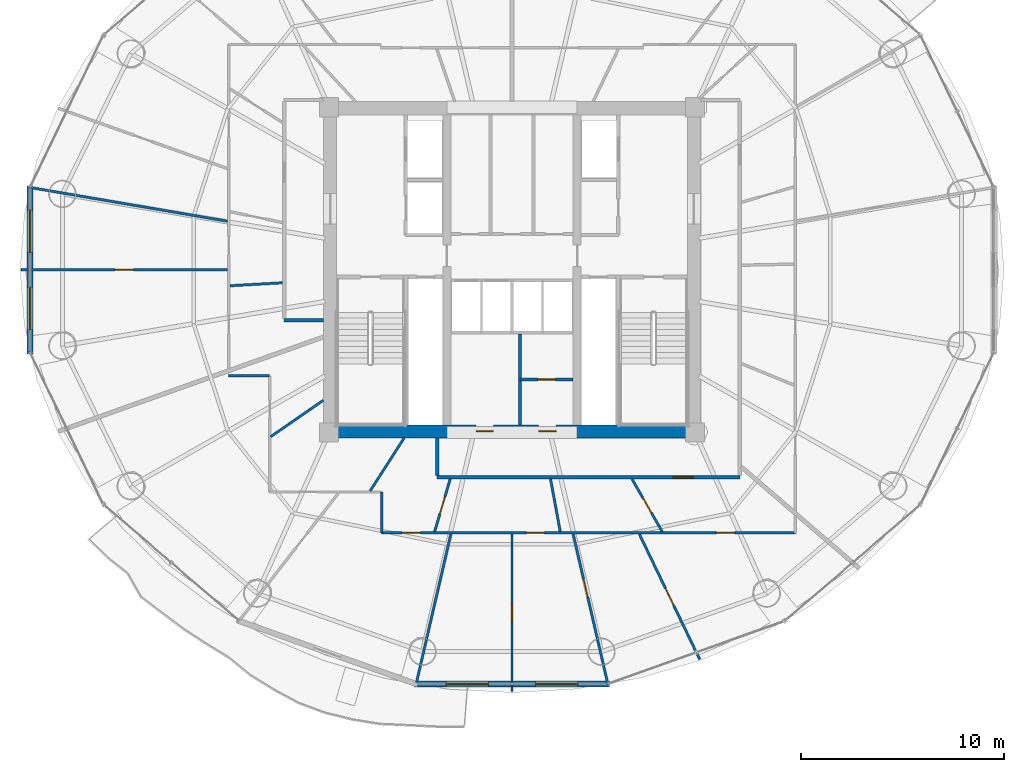
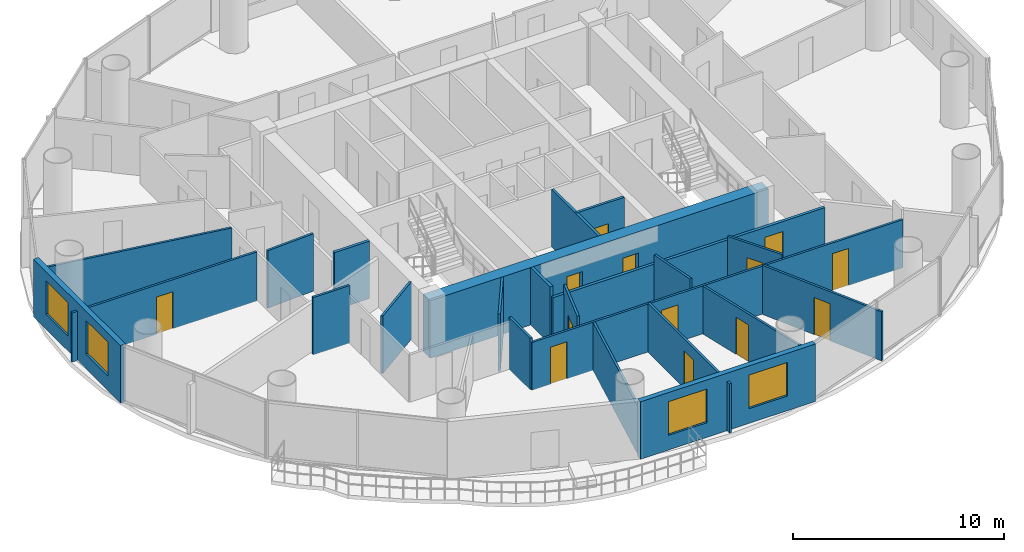
# One storey, part 21 of 27: 23 walls, 13 doors, 4 windows, 17 openings.
"""IFC4 building model written with IfcOpenShell, lengths in metres."""

from ifc_helpers import new_model, si_unit, direction, frame, frame_2d, origin, place, context, subcontext, project, spatial, rectangle, extrude, source, transform, mapped, material, layer, layer_set, type_object, element, fill, save


model = new_model("IFC4")

# Units and contexts
model_context = context("Model", 3, precision=1e-05, world=origin(), true_north=direction((-0.2419218956, 0.970295726276)))
body_context = subcontext(model_context, "Body", "Model", "MODEL_VIEW")
ifc_project = project(units=[si_unit("LENGTHUNIT", "METRE"), si_unit("AREAUNIT", "SQUARE_METRE"), si_unit("VOLUMEUNIT", "CUBIC_METRE"), si_unit("PLANEANGLEUNIT", "RADIAN"), si_unit("MASSUNIT", "GRAM", prefix="KILO")], contexts=[model_context])

# Site, building, storey
site_placement = place(None, origin())
site = spatial("IfcSite", under=ifc_project, at=site_placement, CompositionType="ELEMENT")
building_placement = place(site_placement, origin())
building = spatial("IfcBuilding", under=site, at=building_placement, Name="Cobrevalo Terracotta Tower", CompositionType="ELEMENT")
storey_placement = place(building_placement, frame((0.0, 0.0, 146.199951171875)))
storey = spatial("IfcBuildingStorey", under=building, at=storey_placement, Name="L38", CompositionType="ELEMENT", Elevation=146.199951171875)

# Wall, openings, doors
ifc_material_1 = material(Name="Concrete C55", Category="concrete")
ifc_layer_1 = layer(ifc_material_1, 0.64990234375)
ifc_layer_set_1 = layer_set([ifc_layer_1], Name="Concrete C55")
wall_type_1 = type_object("IfcWallType", Name="Core shear wall 650 mm Concrete C55", PredefinedType="SHEAR", material=ifc_layer_set_1)
wall_1_placement = place(storey_placement, frame((28.72509765625, 18.85009765625, 0.0), z_axis=(0.0, 0.0, 1.0), x_axis=(1.0, 0.0, 0.0)))
wall_1 = element("IfcWall", 1, at=wall_1_placement, inside=storey, type_object=wall_type_1, Name="L38 south core shear wall", PredefinedType="SHEAR", context=body_context, shape_type="SweptSolid", body=[
    extrude(rectangle(XDim=18.5498046875, YDim=0.64990234375, at=frame_2d((9.27490234375, 0.0))), origin(), (0.0, 0.0, 1.0), 3.330078125),
])
opening_1_placement = place(wall_1_placement, frame((7.510009765625, 0.0, 0.0)))
opening_1 = element("IfcOpeningElement", 2, at=opening_1_placement, cuts=wall_1, Name="Opening ID-22", PredefinedType="OPENING", context=body_context, shape_type="SweptSolid", body=[
    extrude(rectangle(XDim=0.85009765625, YDim=2.10009765625, at=frame_2d((0.425048828125, 1.050048828125))), frame((0.0, 0.3349609375, 0.0), z_axis=(0.0, -1.0, 0.0), x_axis=(1.0, 0.0, 0.0)), (0.0, 0.0, 1.0), 0.669921875),
])
opening_2_placement = place(wall_1_placement, frame((10.590087890625, 0.0, 0.0)))
opening_2 = element("IfcOpeningElement", 3, at=opening_2_placement, cuts=wall_1, Name="Opening ID-22", PredefinedType="OPENING", context=body_context, shape_type="SweptSolid", body=[
    extrude(rectangle(XDim=0.85009765625, YDim=2.10009765625, at=frame_2d((0.425048828125, 1.050048828125))), frame((0.0, 0.3349609375, 0.0), z_axis=(0.0, -1.0, 0.0), x_axis=(1.0, 0.0, 0.0)), (0.0, 0.0, 1.0), 0.669921875),
])
ifc_material_2 = material(Name="Powder-coated steel", Category="steel")
door_type_1 = type_object("IfcDoorType", Name="Riser shaft & meter closet fire access door 850x2100 EI 60", OperationType="NOTDEFINED", PredefinedType="DOOR", material=ifc_material_2)
shared_shape_1 = source(origin(), body_context, "Body", "SweptSolid", [
    extrude(rectangle(XDim=0.85009765625, YDim=2.10009765625, at=frame_2d((0.425048828125, 1.050048828125))), frame((0.0, 0.02490234375, 0.0), z_axis=(0.0, -1.0, 0.0), x_axis=(1.0, 0.0, 0.0)), (0.0, 0.0, 1.0), 0.050048828125),
])
door_1_placement = place(opening_1_placement, origin())
door_1 = element("IfcDoor", 4, at=door_1_placement, inside=storey, type_object=door_type_1, Name="L38 core south plant door Floor AHU Mechanical Plant", OperationType="SINGLE_SWING_RIGHT", OverallHeight=2.10009765625, OverallWidth=0.85009765625, PredefinedType="DOOR", context=body_context, shape_type="MappedRepresentation", body=[
    mapped(shared_shape_1, transform((0.0, 0.0, 0.0), scale=1.0)),
])
fill(opening_1, door_1)
door_2_placement = place(opening_2_placement, origin())
door_2 = element("IfcDoor", 5, at=door_2_placement, inside=storey, type_object=door_type_1, Name="L38 core south plant door Sprinkler Valve Plant", OperationType="SINGLE_SWING_RIGHT", OverallHeight=2.10009765625, OverallWidth=0.85009765625, PredefinedType="DOOR", context=body_context, shape_type="MappedRepresentation", body=[
    mapped(shared_shape_1, transform((0.0, 0.0, 0.0), scale=1.0)),
])
fill(opening_2, door_2)

# Wall
ifc_material_3 = material(Name="Gypsum board on steel stud", Category="steel")
ifc_layer_2 = layer(ifc_material_3, 0.159912109375)
ifc_layer_set_2 = layer_set([ifc_layer_2], Name="Gypsum board on steel stud")
wall_type_2 = type_object("IfcWallType", Name="Fire-rated corridor acoustic partition wall 160 mm", PredefinedType="PARTITIONING", material=ifc_layer_set_2)
wall_2_placement = place(storey_placement, frame((26.794921875, 24.320068359375, 0.0), z_axis=(0.0, 0.0, 1.0), x_axis=(1.0, 0.0, 0.0)))
element("IfcWall", 6, at=wall_2_placement, inside=storey, type_object=wall_type_2, Name="L38 interior partition IW-L38-COR-WS-CAP", PredefinedType="PARTITIONING", context=body_context, shape_type="SweptSolid", body=[
    extrude(rectangle(XDim=1.93017578125, YDim=0.159912109375, at=frame_2d((0.965087890625, 0.0))), origin(), (0.0, 0.0, 1.0), 3.330078125),
])

# Wall, opening, door
wall_3_placement = place(storey_placement, frame((34.320068359375, 16.594970703125, 0.0), z_axis=(0.0, 0.0, 1.0), x_axis=(1.0, 0.0, 0.0)))
wall_3 = element("IfcWall", 7, at=wall_3_placement, inside=storey, type_object=wall_type_2, Name="L38 interior partition IW-L38-COR-S", PredefinedType="PARTITIONING", context=body_context, shape_type="SweptSolid", body=[
    extrude(rectangle(XDim=14.885009765625, YDim=0.159912109375, at=frame_2d((7.4423828125, 0.0))), origin(), (0.0, 0.0, 1.0), 2.776123046875),
])
opening_3_placement = place(wall_3_placement, frame((11.60888671875, 0.0, 0.0)))
opening_3 = element("IfcOpeningElement", 8, at=opening_3_placement, cuts=wall_3, Name="Opening ID-05", PredefinedType="OPENING", context=body_context, shape_type="SweptSolid", body=[
    extrude(rectangle(XDim=0.97998046875, YDim=2.199951171875, at=frame_2d((0.489990234375, 1.10009765625))), frame((0.0, 0.08984375, 0.0), z_axis=(0.0, -1.0, 0.0), x_axis=(1.0, 0.0, 0.0)), (0.0, 0.0, 1.0), 0.179931640625),
])
ifc_material_4 = material(Name="Solid hardwood timber", Category="wood")
door_type_2 = type_object("IfcDoorType", Name="Residence entrance fire-rated acoustic timber door 980x2200 EI 60", OperationType="NOTDEFINED", PredefinedType="DOOR", material=ifc_material_4)
shared_shape_2 = source(origin(), body_context, "Body", "SweptSolid", [
    extrude(rectangle(XDim=0.97998046875, YDim=2.199951171875, at=frame_2d((0.489990234375, 1.10009765625))), frame((0.0, 0.02490234375, 0.0), z_axis=(0.0, -1.0, 0.0), x_axis=(1.0, 0.0, 0.0)), (0.0, 0.0, 1.0), 0.050048828125),
])
door_3_placement = place(opening_3_placement, frame((0.97998046875, 0.0, 0.0), z_axis=(0.0, 0.0, 1.0), x_axis=(-1.0, 0.0, 0.0)))
door_3 = element("IfcDoor", 9, at=door_3_placement, inside=storey, type_object=door_type_2, Name="Flat L38B fire-rated apartment entrance door", OperationType="SINGLE_SWING_LEFT", OverallHeight=2.199951171875, OverallWidth=0.97998046875, PredefinedType="DOOR", context=body_context, shape_type="MappedRepresentation", body=[
    mapped(shared_shape_2, transform((0.0, 0.0, 0.0), scale=1.0)),
])
fill(opening_3, door_3)

# Wall
wall_4_placement = place(storey_placement, frame((34.320068359375, 16.675048828125, 0.0), z_axis=(0.0, 0.0, 1.0), x_axis=(0.0, 1.0, 0.0)))
element("IfcWall", 10, at=wall_4_placement, inside=storey, type_object=wall_type_2, Name="L38 interior partition IW-L38-COR-SW-CAP", PredefinedType="PARTITIONING", context=body_context, shape_type="SweptSolid", body=[
    extrude(rectangle(XDim=1.849853515625, YDim=0.159912109375, at=frame_2d((0.9248046875, 0.0))), origin(), (0.0, 0.0, 1.0), 3.330078125),
])

# Wall, openings, windows
ifc_material_5 = material(Name="Autoclaved aerated concrete block", Category="concrete")
ifc_layer_3 = layer(ifc_material_5, 0.280029296875)
ifc_layer_set_3 = layer_set([ifc_layer_3], Name="Autoclaved aerated concrete block")
wall_type_3 = type_object("IfcWallType", Name="Insulated tower spandrel & pier wall 280 mm with terracotta rainscreen", PredefinedType="SOLIDWALL", material=ifc_layer_set_3)
wall_5_placement = place(storey_placement, frame((14.29443359375, 30.93212890625, 0.0), z_axis=(0.0, 0.0, 1.0), x_axis=(0.0, -1.0, 0.0)))
wall_5 = element("IfcWall", 11, at=wall_5_placement, inside=storey, type_object=wall_type_3, Name="L38 terracotta rainscreen pier wall S08", PredefinedType="SOLIDWALL", context=body_context, shape_type="SweptSolid", body=[
    extrude(rectangle(XDim=8.26416015625, YDim=0.280029296875, at=frame_2d((4.132080078125, 0.0))), origin(), (0.0, 0.0, 1.0), 3.330078125),
])
opening_4_placement = place(wall_5_placement, frame((1.181396484375, 0.0, 0.85009765625)))
opening_4 = element("IfcOpeningElement", 12, at=opening_4_placement, cuts=wall_5, Name="Opening WN-10", PredefinedType="OPENING", context=body_context, shape_type="SweptSolid", body=[
    extrude(rectangle(XDim=2.10009765625, YDim=1.949951171875, at=frame_2d((1.050048828125, 0.97509765625))), frame((0.0, 0.14990234375, 0.0), z_axis=(0.0, -1.0, 0.0), x_axis=(1.0, 0.0, 0.0)), (0.0, 0.0, 1.0), 0.300048828125),
])
opening_5_placement = place(wall_5_placement, frame((4.98291015625, 0.0, 0.85009765625)))
opening_5 = element("IfcOpeningElement", 13, at=opening_5_placement, cuts=wall_5, Name="Opening WN-10", PredefinedType="OPENING", context=body_context, shape_type="SweptSolid", body=[
    extrude(rectangle(XDim=2.10009765625, YDim=1.949951171875, at=frame_2d((1.050048828125, 0.97509765625))), frame((0.0, 0.14990234375, 0.0), z_axis=(0.0, -1.0, 0.0), x_axis=(1.0, 0.0, 0.0)), (0.0, 0.0, 1.0), 0.300048828125),
])
ifc_material_6 = material(Name="Solar-control low-E double glazing", Category="glass")
window_type = type_object("IfcWindowType", Name="Wide panoramic low-E aluminium window 2100x1950", PartitioningType="SINGLE_PANEL", PredefinedType="WINDOW", material=ifc_material_6)
shared_shape_3 = source(origin(), body_context, "Body", "SweptSolid", [
    extrude(rectangle(XDim=2.10009765625, YDim=1.949951171875, at=frame_2d((1.050048828125, 0.97509765625))), frame((0.0, 0.030029296875, 0.0), z_axis=(0.0, -1.0, 0.0), x_axis=(1.0, 0.0, 0.0)), (0.0, 0.0, 1.0), 0.06005859375),
])
window_1_placement = place(opening_4_placement, origin())
window_1 = element("IfcWindow", 14, at=window_1_placement, inside=storey, type_object=window_type, Name="L38 suite window S08A", OverallHeight=1.949951171875, OverallWidth=2.10009765625, PartitioningType="SINGLE_PANEL", PredefinedType="WINDOW", context=body_context, shape_type="MappedRepresentation", body=[
    mapped(shared_shape_3, transform((0.0, 0.0, 0.0), scale=1.0)),
])
fill(opening_4, window_1)
window_2_placement = place(opening_5_placement, origin())
window_2 = element("IfcWindow", 15, at=window_2_placement, inside=storey, type_object=window_type, Name="L38 suite window S08B", OverallHeight=1.949951171875, OverallWidth=2.10009765625, PartitioningType="SINGLE_PANEL", PredefinedType="WINDOW", context=body_context, shape_type="MappedRepresentation", body=[
    mapped(shared_shape_3, transform((0.0, 0.0, 0.0), scale=1.0)),
])
fill(opening_5, window_2)

wall_6_placement = place(storey_placement, frame((33.20458984375, 6.42919921875, 0.0), z_axis=(0.0, 0.0, 1.0), x_axis=(1.0, 0.0, 0.0)))
wall_6 = element("IfcWall", 16, at=wall_6_placement, inside=storey, type_object=wall_type_3, Name="L38 terracotta rainscreen pier wall S12", PredefinedType="SOLIDWALL", context=body_context, shape_type="SweptSolid", body=[
    extrude(rectangle(XDim=9.5908203125, YDim=0.280029296875, at=frame_2d((4.79541015625, 0.0))), origin(), (0.0, 0.0, 1.0), 3.330078125),
])
opening_6_placement = place(wall_6_placement, frame((1.53955078125, 0.0, 0.85009765625)))
opening_6 = element("IfcOpeningElement", 17, at=opening_6_placement, cuts=wall_6, Name="Opening WN-10", PredefinedType="OPENING", context=body_context, shape_type="SweptSolid", body=[
    extrude(rectangle(XDim=2.10009765625, YDim=1.949951171875, at=frame_2d((1.050048828125, 0.97509765625))), frame((0.0, 0.14990234375, 0.0), z_axis=(0.0, -1.0, 0.0), x_axis=(1.0, 0.0, 0.0)), (0.0, 0.0, 1.0), 0.300048828125),
])
opening_7_placement = place(wall_6_placement, frame((5.951171875, 0.0, 0.85009765625)))
opening_7 = element("IfcOpeningElement", 18, at=opening_7_placement, cuts=wall_6, Name="Opening WN-10", PredefinedType="OPENING", context=body_context, shape_type="SweptSolid", body=[
    extrude(rectangle(XDim=2.10009765625, YDim=1.949951171875, at=frame_2d((1.050048828125, 0.97509765625))), frame((0.0, 0.14990234375, 0.0), z_axis=(0.0, -1.0, 0.0), x_axis=(1.0, 0.0, 0.0)), (0.0, 0.0, 1.0), 0.300048828125),
])
window_3_placement = place(opening_6_placement, origin())
window_3 = element("IfcWindow", 19, at=window_3_placement, inside=storey, type_object=window_type, Name="L38 suite window S12A", OverallHeight=1.949951171875, OverallWidth=2.10009765625, PartitioningType="SINGLE_PANEL", PredefinedType="WINDOW", context=body_context, shape_type="MappedRepresentation", body=[
    mapped(shared_shape_3, transform((0.0, 0.0, 0.0), scale=1.0)),
])
fill(opening_6, window_3)
window_4_placement = place(opening_7_placement, origin())
window_4 = element("IfcWindow", 20, at=window_4_placement, inside=storey, type_object=window_type, Name="L38 suite window S12B", OverallHeight=1.949951171875, OverallWidth=2.10009765625, PartitioningType="SINGLE_PANEL", PredefinedType="WINDOW", context=body_context, shape_type="MappedRepresentation", body=[
    mapped(shared_shape_3, transform((0.0, 0.0, 0.0), scale=1.0)),
])
fill(opening_7, window_4)

# Wall
ifc_layer_4 = layer(ifc_material_5, 0.139892578125)
ifc_layer_set_4 = layer_set([ifc_layer_4], Name="Autoclaved aerated concrete block")
wall_type_4 = type_object("IfcWallType", Name="Moisture-resistant wet-room & core service partition 140 mm", PredefinedType="PARTITIONING", material=ifc_layer_set_4)
wall_7_placement = place(storey_placement, frame((38.39990234375, 19.175048828125, 0.0), z_axis=(0.0, 0.0, 1.0), x_axis=(0.0, 1.0, 0.0)))
element("IfcWall", 21, at=wall_7_placement, inside=storey, type_object=wall_type_4, Name="L38 interior partition IW-L38-KVS-L1", PredefinedType="PARTITIONING", context=body_context, shape_type="SweptSolid", body=[
    extrude(rectangle(XDim=4.46484375, YDim=0.139892578125, at=frame_2d((2.232421875, 0.0))), origin(), (0.0, 0.0, 1.0), 3.330078125),
])

# Wall, opening, door
wall_8_placement = place(storey_placement, frame((38.39990234375, 21.407470703125, 0.0), z_axis=(0.0, 0.0, 1.0), x_axis=(1.0, 0.0, 0.0)))
wall_8 = element("IfcWall", 22, at=wall_8_placement, inside=storey, type_object=wall_type_4, Name="L38 interior partition IW-L38-KVS-L2", PredefinedType="PARTITIONING", context=body_context, shape_type="SweptSolid", body=[
    extrude(rectangle(XDim=2.610107421875, YDim=0.139892578125, at=frame_2d((1.30517578125, 0.0))), origin(), (0.0, 0.0, 1.0), 3.330078125),
])
opening_8_placement = place(wall_8_placement, frame((0.8798828125, 0.0, 0.0)))
opening_8 = element("IfcOpeningElement", 23, at=opening_8_placement, cuts=wall_8, Name="Opening ID-22", PredefinedType="OPENING", context=body_context, shape_type="SweptSolid", body=[
    extrude(rectangle(XDim=0.85009765625, YDim=2.10009765625, at=frame_2d((0.425048828125, 1.050048828125))), frame((0.0, 0.080078125, 0.0), z_axis=(0.0, -1.0, 0.0), x_axis=(1.0, 0.0, 0.0)), (0.0, 0.0, 1.0), 0.159912109375),
])
door_4_placement = place(opening_8_placement, origin())
door_4 = element("IfcDoor", 24, at=door_4_placement, inside=storey, type_object=door_type_1, Name="L38 core KVS-L2 inner door", OperationType="SINGLE_SWING_LEFT", OverallHeight=2.10009765625, OverallWidth=0.85009765625, PredefinedType="DOOR", context=body_context, shape_type="MappedRepresentation", body=[
    mapped(shared_shape_1, transform((0.0, 0.0, 0.0), scale=1.0)),
])
fill(opening_8, door_4)

# Wall
ifc_layer_5 = layer(ifc_material_3, 0.1201171875)
ifc_layer_set_5 = layer_set([ifc_layer_5], Name="Gypsum board on steel stud")
wall_type_5 = type_object("IfcWallType", Name="Residential internal acoustic stud partition 120 mm", PredefinedType="PARTITIONING", material=ifc_layer_set_5)
wall_9_placement = place(storey_placement, frame((24.00390625, 29.19287109375, 0.0), z_axis=(0.0, 0.0, 1.0), x_axis=(-0.985698378271, 0.168519159369, 0.0)))
element("IfcWall", 25, at=wall_9_placement, inside=storey, type_object=wall_type_5, Name="L38 interior partition IW-L38-U1-ORAD3M1", PredefinedType="PARTITIONING", context=body_context, shape_type="SweptSolid", body=[
    extrude(rectangle(XDim=9.768798828125, YDim=0.1201171875, at=frame_2d((4.88427734375, 0.0))), origin(), (0.0, 0.0, 1.0), 2.776123046875),
])

# Wall, opening, door
wall_10_placement = place(storey_placement, frame((24.0029296875, 26.800048828125, 0.0), z_axis=(0.0, 0.0, 1.0), x_axis=(-1.0, 0.0, 0.0)))
wall_10 = element("IfcWall", 26, at=wall_10_placement, inside=storey, type_object=wall_type_5, Name="L38 interior partition IW-L38-U1-ORAD3", PredefinedType="PARTITIONING", context=body_context, shape_type="SweptSolid", body=[
    extrude(rectangle(XDim=10.142822265625, YDim=0.1201171875, at=frame_2d((5.0712890625, 0.0))), origin(), (0.0, 0.0, 1.0), 2.845947265625),
])
opening_9_placement = place(wall_10_placement, frame((4.62158203125, 0.0, 0.0)))
opening_9 = element("IfcOpeningElement", 27, at=opening_9_placement, cuts=wall_10, Name="Opening ID-12", PredefinedType="OPENING", context=body_context, shape_type="SweptSolid", body=[
    extrude(rectangle(XDim=0.89990234375, YDim=2.14990234375, at=frame_2d((0.449951171875, 1.074951171875))), frame((0.0, 0.070068359375, 0.0), z_axis=(0.0, -1.0, 0.0), x_axis=(1.0, 0.0, 0.0)), (0.0, 0.0, 1.0), 0.14013671875),
])
ifc_material_7 = material(Name="Engineered timber", Category="wood")
door_type_3 = type_object("IfcDoorType", Name="Internal residence & suite timber door 900x2150", OperationType="NOTDEFINED", PredefinedType="DOOR", material=ifc_material_7)
shared_shape_4 = source(origin(), body_context, "Body", "SweptSolid", [
    extrude(rectangle(XDim=0.89990234375, YDim=2.14990234375, at=frame_2d((0.449951171875, 1.074951171875))), frame((0.0, 0.02490234375, 0.0), z_axis=(0.0, -1.0, 0.0), x_axis=(1.0, 0.0, 0.0)), (0.0, 0.0, 1.0), 0.050048828125),
])
door_5_placement = place(opening_9_placement, origin())
door_5 = element("IfcDoor", 28, at=door_5_placement, inside=storey, type_object=door_type_3, Name="Flat L38A Penthouse Family Lounge internal door", OperationType="SINGLE_SWING_LEFT", OverallHeight=2.14990234375, OverallWidth=0.89990234375, PredefinedType="DOOR", context=body_context, shape_type="MappedRepresentation", body=[
    mapped(shared_shape_4, transform((0.0, 0.0, 0.0), scale=1.0)),
])
fill(opening_9, door_5)

# Wall
wall_11_placement = place(storey_placement, frame((26.715087890625, 26.164306640625, 0.0), z_axis=(0.0, 0.0, 1.0), x_axis=(-0.998418047295, -0.056226353574, 0.0)))
element("IfcWall", 29, at=wall_11_placement, inside=storey, type_object=wall_type_5, Name="L38 interior partition IW-L38-U1-IRAD5", PredefinedType="PARTITIONING", context=body_context, shape_type="SweptSolid", body=[
    extrude(rectangle(XDim=2.59228515625, YDim=0.1201171875, at=frame_2d((1.296142578125, 0.0))), origin(), (0.0, 0.0, 1.0), 3.330078125),
])

# Wall, openings, doors
wall_12_placement = place(storey_placement, frame((51.93505859375, 13.864990234375, 0.0), z_axis=(0.0, 0.0, 1.0), x_axis=(-1.0, 0.0, 0.0)))
wall_12 = element("IfcWall", 30, at=wall_12_placement, inside=storey, type_object=wall_type_5, Name="L38 interior partition IW-L38-U2-RING1_0", PredefinedType="PARTITIONING", context=body_context, shape_type="SweptSolid", body=[
    extrude(rectangle(XDim=20.344970703125, YDim=0.1201171875, at=frame_2d((10.17236328125, 0.0))), origin(), (0.0, 0.0, 1.0), 2.776123046875),
])
opening_10_placement = place(wall_12_placement, frame((2.985107421875, 0.0, 0.0)))
opening_10 = element("IfcOpeningElement", 31, at=opening_10_placement, cuts=wall_12, Name="Opening ID-12", PredefinedType="OPENING", context=body_context, shape_type="SweptSolid", body=[
    extrude(rectangle(XDim=0.89990234375, YDim=2.14990234375, at=frame_2d((0.449951171875, 1.074951171875))), frame((0.0, 0.070068359375, 0.0), z_axis=(0.0, -1.0, 0.0), x_axis=(1.0, 0.0, 0.0)), (0.0, 0.0, 1.0), 0.14013671875),
])
opening_11_placement = place(wall_12_placement, frame((12.333251953125, 0.0, 0.0)))
opening_11 = element("IfcOpeningElement", 32, at=opening_11_placement, cuts=wall_12, Name="Opening ID-12", PredefinedType="OPENING", context=body_context, shape_type="SweptSolid", body=[
    extrude(rectangle(XDim=0.89990234375, YDim=2.14990234375, at=frame_2d((0.449951171875, 1.074951171875))), frame((0.0, 0.070068359375, 0.0), z_axis=(0.0, -1.0, 0.0), x_axis=(1.0, 0.0, 0.0)), (0.0, 0.0, 1.0), 0.14013671875),
])
opening_12_placement = place(wall_12_placement, frame((18.435791015625, 0.0, 0.0)))
opening_12 = element("IfcOpeningElement", 33, at=opening_12_placement, cuts=wall_12, Name="Opening ID-12", PredefinedType="OPENING", context=body_context, shape_type="SweptSolid", body=[
    extrude(rectangle(XDim=0.89990234375, YDim=2.14990234375, at=frame_2d((0.449951171875, 1.074951171875))), frame((0.0, 0.070068359375, 0.0), z_axis=(0.0, -1.0, 0.0), x_axis=(1.0, 0.0, 0.0)), (0.0, 0.0, 1.0), 0.14013671875),
])
door_6_placement = place(opening_10_placement, origin())
door_6 = element("IfcDoor", 34, at=door_6_placement, inside=storey, type_object=door_type_3, Name="Flat L38B Penthouse Family Lounge internal door", OperationType="SINGLE_SWING_LEFT", OverallHeight=2.14990234375, OverallWidth=0.89990234375, PredefinedType="DOOR", context=body_context, shape_type="MappedRepresentation", body=[
    mapped(shared_shape_4, transform((0.0, 0.0, 0.0), scale=1.0)),
])
fill(opening_10, door_6)
door_7_placement = place(opening_11_placement, frame((0.89990234375, 0.0, 0.0), z_axis=(0.0, 0.0, 1.0), x_axis=(-1.0, 0.0, 0.0)))
door_7 = element("IfcDoor", 35, at=door_7_placement, inside=storey, type_object=door_type_3, Name="Flat L38B Kitchen internal door", OperationType="SINGLE_SWING_RIGHT", OverallHeight=2.14990234375, OverallWidth=0.89990234375, PredefinedType="DOOR", context=body_context, shape_type="MappedRepresentation", body=[
    mapped(shared_shape_4, transform((0.0, 0.0, 0.0), scale=1.0)),
])
fill(opening_11, door_7)
door_8_placement = place(opening_12_placement, origin())
door_8 = element("IfcDoor", 36, at=door_8_placement, inside=storey, type_object=door_type_3, Name="Flat L38B Master Bedroom internal door", OperationType="SINGLE_SWING_RIGHT", OverallHeight=2.14990234375, OverallWidth=0.89990234375, PredefinedType="DOOR", context=body_context, shape_type="MappedRepresentation", body=[
    mapped(shared_shape_4, transform((0.0, 0.0, 0.0), scale=1.0)),
])
fill(opening_12, door_8)

# Walls
wall_13_placement = place(storey_placement, frame((31.590087890625, 13.864990234375, 0.0), z_axis=(0.0, 0.0, 1.0), x_axis=(0.0, 1.0, 0.0)))
element("IfcWall", 37, at=wall_13_placement, inside=storey, type_object=wall_type_5, Name="L38 interior partition IW-L38-U2-RING2_0", PredefinedType="PARTITIONING", context=body_context, shape_type="SweptSolid", body=[
    extrude(rectangle(XDim=2.010009765625, YDim=0.1201171875, at=frame_2d((1.0048828125, 0.0))), origin(), (0.0, 0.0, 1.0), 3.005126953125),
])
wall_14_placement = place(storey_placement, frame((26.074951171875, 21.590087890625, 0.0), z_axis=(0.0, 0.0, 1.0), x_axis=(-1.0, 0.0, 0.0)))
element("IfcWall", 38, at=wall_14_placement, inside=storey, type_object=wall_type_5, Name="L38 interior partition IW-L38-U2-RING5_0", PredefinedType="PARTITIONING", context=body_context, shape_type="SweptSolid", body=[
    extrude(rectangle(XDim=2.010009765625, YDim=0.1201171875, at=frame_2d((1.0048828125, 0.0))), origin(), (0.0, 0.0, 1.0), 3.330078125),
])
wall_15_placement = place(storey_placement, frame((34.992431640625, 13.8046875, 0.0), z_axis=(0.0, 0.0, 1.0), x_axis=(-0.225447000045, -0.974255433739, 0.0)))
element("IfcWall", 39, at=wall_15_placement, inside=storey, type_object=wall_type_5, Name="L38 interior partition IW-L38-U2-ORAD2M1", PredefinedType="PARTITIONING", context=body_context, shape_type="SweptSolid", body=[
    extrude(rectangle(XDim=7.495849609375, YDim=0.1201171875, at=frame_2d((3.748046875, 0.0))), origin(), (0.0, 0.0, 1.0), 2.776123046875),
])

# Wall, opening, door
wall_16_placement = place(storey_placement, frame((38.0, 13.802978515625, 0.0), z_axis=(0.0, 0.0, 1.0), x_axis=(0.0, -1.0, 0.0)))
wall_16 = element("IfcWall", 40, at=wall_16_placement, inside=storey, type_object=wall_type_5, Name="L38 interior partition IW-L38-U2-ORAD2", PredefinedType="PARTITIONING", context=body_context, shape_type="SweptSolid", body=[
    extrude(rectangle(XDim=7.742919921875, YDim=0.1201171875, at=frame_2d((3.87158203125, 0.0))), origin(), (0.0, 0.0, 1.0), 2.845947265625),
])
opening_13_placement = place(wall_16_placement, frame((3.42138671875, 0.0, 0.0)))
opening_13 = element("IfcOpeningElement", 41, at=opening_13_placement, cuts=wall_16, Name="Opening ID-12", PredefinedType="OPENING", context=body_context, shape_type="SweptSolid", body=[
    extrude(rectangle(XDim=0.89990234375, YDim=2.14990234375, at=frame_2d((0.449951171875, 1.074951171875))), frame((0.0, 0.070068359375, 0.0), z_axis=(0.0, -1.0, 0.0), x_axis=(1.0, 0.0, 0.0)), (0.0, 0.0, 1.0), 0.14013671875),
])
door_9_placement = place(opening_13_placement, frame((0.89990234375, 0.0, 0.0), z_axis=(0.0, 0.0, 1.0), x_axis=(-1.0, 0.0, 0.0)))
door_9 = element("IfcDoor", 42, at=door_9_placement, inside=storey, type_object=door_type_3, Name="Flat L38B Principal Guest Bedroom internal door", OperationType="SINGLE_SWING_LEFT", OverallHeight=2.14990234375, OverallWidth=0.89990234375, PredefinedType="DOOR", context=body_context, shape_type="MappedRepresentation", body=[
    mapped(shared_shape_4, transform((0.0, 0.0, 0.0), scale=1.0)),
])
fill(opening_13, door_9)

wall_17_placement = place(storey_placement, frame((41.007568359375, 13.8046875, 0.0), z_axis=(0.0, 0.0, 1.0), x_axis=(0.225447000045, -0.974255433739, 0.0)))
wall_17 = element("IfcWall", 43, at=wall_17_placement, inside=storey, type_object=wall_type_5, Name="L38 interior partition IW-L38-U2-ORAD3M1", PredefinedType="PARTITIONING", context=body_context, shape_type="SweptSolid", body=[
    extrude(rectangle(XDim=7.495849609375, YDim=0.1201171875, at=frame_2d((3.748046875, 0.0))), origin(), (0.0, 0.0, 1.0), 2.776123046875),
])
opening_14_placement = place(wall_17_placement, frame((2.288818359375, 0.0, 0.0)))
opening_14 = element("IfcOpeningElement", 44, at=opening_14_placement, cuts=wall_17, Name="Opening ID-12", PredefinedType="OPENING", context=body_context, shape_type="SweptSolid", body=[
    extrude(rectangle(XDim=0.89990234375, YDim=2.14990234375, at=frame_2d((0.449951171875, 1.074951171875))), frame((0.0, 0.070068359375, 0.0), z_axis=(0.0, -1.0, 0.0), x_axis=(1.0, 0.0, 0.0)), (0.0, 0.0, 1.0), 0.14013671875),
])
door_10_placement = place(opening_14_placement, frame((0.89990234375, 0.0, 0.0), z_axis=(0.0, 0.0, 1.0), x_axis=(-1.0, 0.0, 0.0)))
door_10 = element("IfcDoor", 45, at=door_10_placement, inside=storey, type_object=door_type_3, Name="Flat L38B North Bedroom internal door", OperationType="SINGLE_SWING_LEFT", OverallHeight=2.14990234375, OverallWidth=0.89990234375, PredefinedType="DOOR", context=body_context, shape_type="MappedRepresentation", body=[
    mapped(shared_shape_4, transform((0.0, 0.0, 0.0), scale=1.0)),
])
fill(opening_14, door_10)

wall_18_placement = place(storey_placement, frame((44.260498046875, 13.80908203125, 0.0), z_axis=(0.0, 0.0, 1.0), x_axis=(0.434162832987, -0.900834410118, 0.0)))
wall_18 = element("IfcWall", 46, at=wall_18_placement, inside=storey, type_object=wall_type_5, Name="L38 interior partition IW-L38-U2-ORAD3", PredefinedType="PARTITIONING", context=body_context, shape_type="SweptSolid", body=[
    extrude(rectangle(XDim=6.84912109375, YDim=0.1201171875, at=frame_2d((3.424560546875, 0.0))), origin(), (0.0, 0.0, 1.0), 2.845947265625),
])
opening_15_placement = place(wall_18_placement, frame((2.974609375, 0.0, 0.0)))
opening_15 = element("IfcOpeningElement", 47, at=opening_15_placement, cuts=wall_18, Name="Opening ID-12", PredefinedType="OPENING", context=body_context, shape_type="SweptSolid", body=[
    extrude(rectangle(XDim=0.89990234375, YDim=2.14990234375, at=frame_2d((0.449951171875, 1.074951171875))), frame((0.0, 0.070068359375, 0.0), z_axis=(0.0, -1.0, 0.0), x_axis=(1.0, 0.0, 0.0)), (0.0, 0.0, 1.0), 0.14013671875),
])
door_11_placement = place(opening_15_placement, frame((0.89990234375, 0.0, 0.0), z_axis=(0.0, 0.0, 1.0), x_axis=(-1.0, 0.0, 0.0)))
door_11 = element("IfcDoor", 48, at=door_11_placement, inside=storey, type_object=door_type_3, Name="Flat L38B Penthouse Family Lounge internal door", OperationType="SINGLE_SWING_RIGHT", OverallHeight=2.14990234375, OverallWidth=0.89990234375, PredefinedType="DOOR", context=body_context, shape_type="MappedRepresentation", body=[
    mapped(shared_shape_4, transform((0.0, 0.0, 0.0), scale=1.0)),
])
fill(opening_15, door_11)

# Walls
wall_19_placement = place(storey_placement, frame((28.723388671875, 20.386474609375, 0.0), z_axis=(0.0, 0.0, 1.0), x_axis=(-0.822570551556, -0.568663070467, 0.0)))
element("IfcWall", 49, at=wall_19_placement, inside=storey, type_object=wall_type_5, Name="L38 interior partition IW-L38-U2-IRAD1", PredefinedType="PARTITIONING", context=body_context, shape_type="SweptSolid", body=[
    extrude(rectangle(XDim=3.15771484375, YDim=0.1201171875, at=frame_2d((1.578857421875, 0.0))), origin(), (0.0, 0.0, 1.0), 3.330078125),
])
wall_20_placement = place(storey_placement, frame((32.690673828125, 18.52490234375, 0.0), z_axis=(0.0, 0.0, 1.0), x_axis=(-0.54002976428, -0.841645919429, 0.0)))
element("IfcWall", 50, at=wall_20_placement, inside=storey, type_object=wall_type_5, Name="L38 interior partition IW-L38-U2-IRAD2", PredefinedType="PARTITIONING", context=body_context, shape_type="SweptSolid", body=[
    extrude(rectangle(XDim=3.08642578125, YDim=0.1201171875, at=frame_2d((1.543212890625, 0.0))), origin(), (0.0, 0.0, 1.0), 3.330078125),
])

# Wall, opening, door
wall_21_placement = place(storey_placement, frame((34.9609375, 16.514892578125, 0.0), z_axis=(0.0, 0.0, 1.0), x_axis=(-0.283365034326, -0.959012125743, 0.0)))
wall_21 = element("IfcWall", 51, at=wall_21_placement, inside=storey, type_object=wall_type_5, Name="L38 interior partition IW-L38-U2-IRAD3", PredefinedType="PARTITIONING", context=body_context, shape_type="SweptSolid", body=[
    extrude(rectangle(XDim=2.700927734375, YDim=0.1201171875, at=frame_2d((1.3505859375, 0.0))), origin(), (0.0, 0.0, 1.0), 3.330078125),
])
opening_16_placement = place(wall_21_placement, frame((0.900634765625, 0.0, 0.0)))
opening_16 = element("IfcOpeningElement", 52, at=opening_16_placement, cuts=wall_21, Name="Opening ID-12", PredefinedType="OPENING", context=body_context, shape_type="SweptSolid", body=[
    extrude(rectangle(XDim=0.89990234375, YDim=2.14990234375, at=frame_2d((0.449951171875, 1.074951171875))), frame((0.0, 0.070068359375, 0.0), z_axis=(0.0, -1.0, 0.0), x_axis=(1.0, 0.0, 0.0)), (0.0, 0.0, 1.0), 0.14013671875),
])
door_12_placement = place(opening_16_placement, frame((0.89990234375, 0.0, 0.0), z_axis=(0.0, 0.0, 1.0), x_axis=(-1.0, 0.0, 0.0)))
door_12 = element("IfcDoor", 53, at=door_12_placement, inside=storey, type_object=door_type_3, Name="Flat L38B Utility Closet internal door", OperationType="SINGLE_SWING_LEFT", OverallHeight=2.14990234375, OverallWidth=0.89990234375, PredefinedType="DOOR", context=body_context, shape_type="MappedRepresentation", body=[
    mapped(shared_shape_4, transform((0.0, 0.0, 0.0), scale=1.0)),
])
fill(opening_16, door_12)

# Wall
wall_22_placement = place(storey_placement, frame((39.895263671875, 16.514892578125, 0.0), z_axis=(0.0, 0.0, 1.0), x_axis=(0.181219081065, -0.983442751083, 0.0)))
element("IfcWall", 54, at=wall_22_placement, inside=storey, type_object=wall_type_5, Name="L38 interior partition IW-L38-U2-IRAD4", PredefinedType="PARTITIONING", context=body_context, shape_type="SweptSolid", body=[
    extrude(rectangle(XDim=2.632568359375, YDim=0.1201171875, at=frame_2d((1.31640625, 0.0))), origin(), (0.0, 0.0, 1.0), 3.330078125),
])

# Wall, opening, door
wall_23_placement = place(storey_placement, frame((43.901123046875, 16.514892578125, 0.0), z_axis=(0.0, 0.0, 1.0), x_axis=(0.497640283609, -0.86738350695, 0.0)))
wall_23 = element("IfcWall", 55, at=wall_23_placement, inside=storey, type_object=wall_type_5, Name="L38 interior partition IW-L38-U2-IRAD5", PredefinedType="PARTITIONING", context=body_context, shape_type="SweptSolid", body=[
    extrude(rectangle(XDim=2.9931640625, YDim=0.1201171875, at=frame_2d((1.49658203125, 0.0))), origin(), (0.0, 0.0, 1.0), 3.005126953125),
])
opening_17_placement = place(wall_23_placement, frame((1.066650390625, 0.0, 0.0)))
opening_17 = element("IfcOpeningElement", 56, at=opening_17_placement, cuts=wall_23, Name="Opening ID-19", PredefinedType="OPENING", context=body_context, shape_type="SweptSolid", body=[
    extrude(rectangle(XDim=0.860107421875, YDim=2.14990234375, at=frame_2d((0.43017578125, 1.074951171875))), frame((0.0, 0.070068359375, 0.0), z_axis=(0.0, -1.0, 0.0), x_axis=(1.0, 0.0, 0.0)), (0.0, 0.0, 1.0), 0.14013671875),
])
ifc_material_8 = material(Name="Moisture-sealed timber", Category="wood")
door_type_4 = type_object("IfcDoorType", Name="Suite bathroom internal timber door 860x2150", OperationType="NOTDEFINED", PredefinedType="DOOR", material=ifc_material_8)
shared_shape_5 = source(origin(), body_context, "Body", "SweptSolid", [
    extrude(rectangle(XDim=0.860107421875, YDim=2.14990234375, at=frame_2d((0.43017578125, 1.074951171875))), frame((0.0, 0.02490234375, 0.0), z_axis=(0.0, -1.0, 0.0), x_axis=(1.0, 0.0, 0.0)), (0.0, 0.0, 1.0), 0.050048828125),
])
door_13_placement = place(opening_17_placement, frame((0.860107421875, 0.0, 0.0), z_axis=(0.0, 0.0, 1.0), x_axis=(-1.0, 0.0, 0.0)))
door_13 = element("IfcDoor", 57, at=door_13_placement, inside=storey, type_object=door_type_4, Name="Flat L38B Primary Bathroom internal door", OperationType="SINGLE_SWING_RIGHT", OverallHeight=2.14990234375, OverallWidth=0.860107421875, PredefinedType="DOOR", context=body_context, shape_type="MappedRepresentation", body=[
    mapped(shared_shape_5, transform((0.0, 0.0, 0.0), scale=1.0)),
])
fill(opening_17, door_13)

save(model, "model.ifc")
